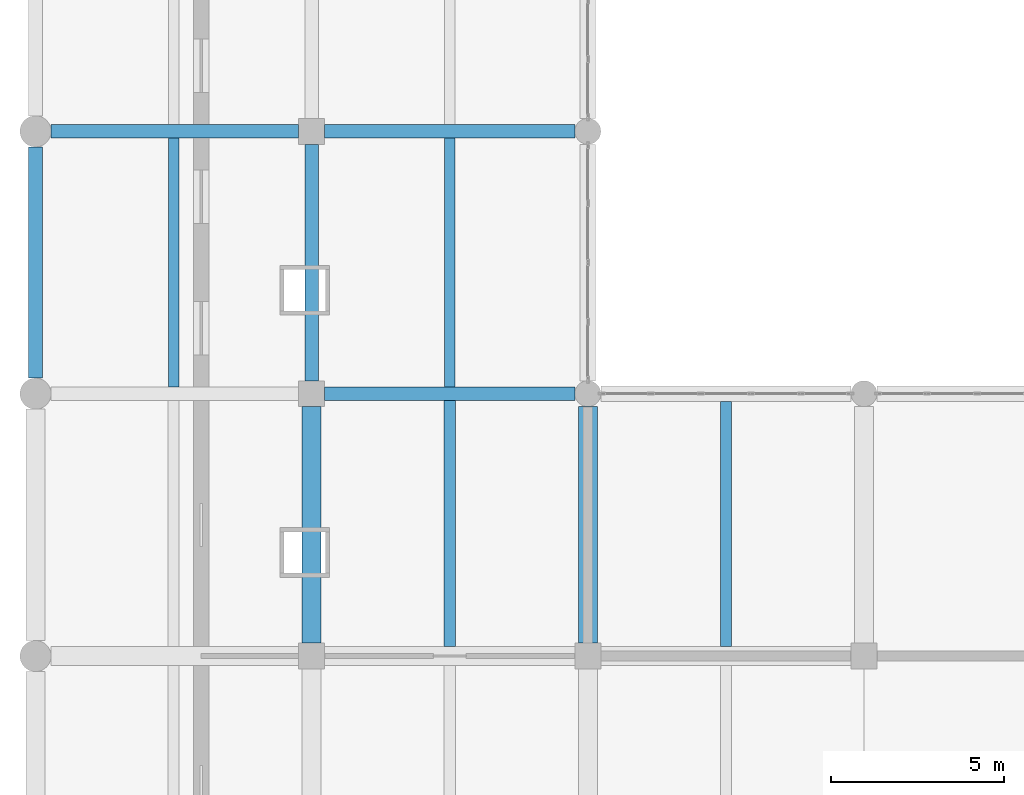
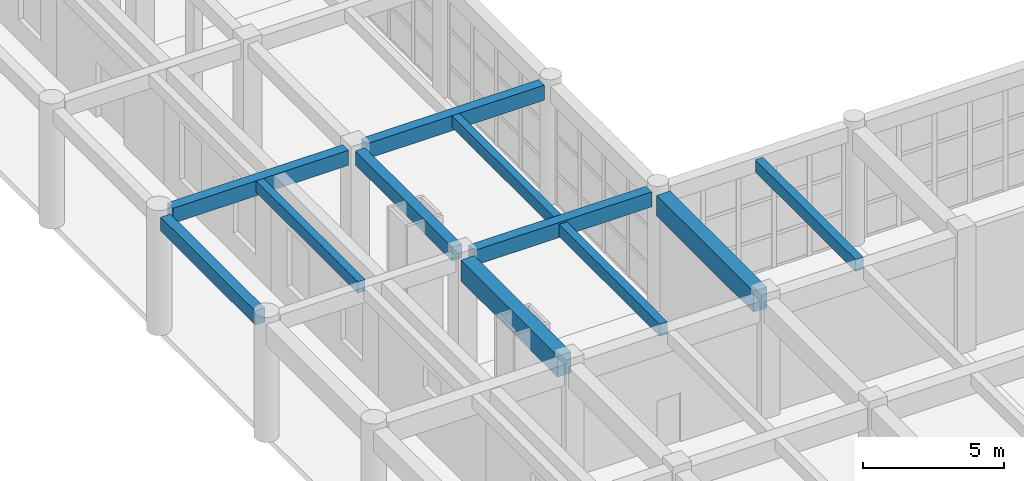
# One storey, part 14 of 95: 11 beams.
"""IFC4 building model written with IfcOpenShell, lengths in metres."""

from ifc_helpers import new_model, si_unit, direction, frame, origin, origin_2d, place, context, subcontext, project, spatial, rectangle, extrude, material, material_profile, profile_set, type_object, element, save


model = new_model("IFC4")

# Units and contexts
model_context = context("Model", 3, precision=1e-05, world=origin(), true_north=direction((0.0, 1.0)))
body_context = subcontext(model_context, "Body", "Model", "MODEL_VIEW")
ifc_project = project(units=[si_unit("LENGTHUNIT", "METRE"), si_unit("AREAUNIT", "SQUARE_METRE"), si_unit("VOLUMEUNIT", "CUBIC_METRE"), si_unit("PLANEANGLEUNIT", "RADIAN"), si_unit("MASSUNIT", "GRAM", prefix="KILO")], contexts=[model_context])

# Site, building, storey
site_placement = place(None, origin())
site = spatial("IfcSite", under=ifc_project, at=site_placement, CompositionType="ELEMENT")
building_placement = place(site_placement, origin())
building = spatial("IfcBuilding", under=site, at=building_placement, Name="Zantavel Square City Hall", CompositionType="ELEMENT")
storey_placement = place(building_placement, origin())
storey = spatial("IfcBuildingStorey", under=building, at=storey_placement, Name="L01", CompositionType="ELEMENT", Elevation=0.0)

# Beams
ifc_material_1 = material(Name="Concrete C40/50", Category="concrete")
ifc_material_profile_1 = material_profile(ifc_material_1, rectangle(XDim=0.320068359375, YDim=0.52001953125, at=origin_2d()), Name="RC 320x520")
ifc_profile_set_1 = profile_set([ifc_material_profile_1], Name="Concrete C40/50")
beam_type_1 = type_object("IfcBeamType", Name="Archive Floor Joist RC 320x520 C40/50", PredefinedType="JOIST", material=ifc_profile_set_1)
beam_1_placement = place(storey_placement, frame((12.0, 30.675048828125, 4.820068359375), z_axis=(0.0, 1.0, 0.0), x_axis=(-1.0, 0.0, 0.0)))
element("IfcBeam", 1, at=beam_1_placement, inside=storey, type_object=beam_type_1, Name="L01 Floor Joist JST-L01-0120-0304", PredefinedType="JOIST", context=body_context, shape_type="SweptSolid", body=[
    extrude(rectangle(XDim=0.320068359375, YDim=0.52001953125, at=origin_2d()), origin(), (0.0, 0.0, 1.0), 7.125),
])
beam_2_placement = place(storey_placement, frame((20.0, 30.675048828125, 4.820068359375), z_axis=(0.0, 1.0, 0.0), x_axis=(-1.0, 0.0, 0.0)))
element("IfcBeam", 2, at=beam_2_placement, inside=storey, type_object=beam_type_1, Name="L01 Floor Joist JST-L01-0200-0304", PredefinedType="JOIST", context=body_context, shape_type="SweptSolid", body=[
    extrude(rectangle(XDim=0.320068359375, YDim=0.52001953125, at=origin_2d()), origin(), (0.0, 0.0, 1.0), 7.099853515625),
])
ifc_material_profile_2 = material_profile(ifc_material_1, rectangle(XDim=0.550048828125, YDim=0.89990234375, at=origin_2d()), Name="RC 550x900")
ifc_profile_set_2 = profile_set([ifc_material_profile_2], Name="Concrete C40/50")
beam_type_2 = type_object("IfcBeamType", Name="Archive Heavy Girder RC 550x900 C40/50", PredefinedType="BEAM", material=ifc_profile_set_2)
for number, where, z_axis, x_axis, name in (
    (3, (8.0, 30.77490234375, 4.6298828125), (0.0, 1.0, 0.0), (-1.0, 0.0, 0.0), "L01 Beam BMY-L01-0080-0304"),
    (4, (16.0, 30.77490234375, 4.6298828125), (0.0, 1.0, 0.0), (-1.0, 0.0, 0.0), "L01 Beam BMY-L01-0160-0304"),
):
    element("IfcBeam", number, at=place(storey_placement, frame(where, z_axis=z_axis, x_axis=x_axis)), inside=storey, type_object=beam_type_2, Name=name, PredefinedType="BEAM", context=body_context, shape_type="SweptSolid", body=[
        extrude(rectangle(XDim=0.550048828125, YDim=0.89990234375, at=origin_2d()), origin(), (0.0, 0.0, 1.0), 6.85009765625),
    ])
ifc_material_2 = material(Name="Concrete C35/45", Category="concrete")
ifc_material_profile_3 = material_profile(ifc_material_2, rectangle(XDim=0.300048828125, YDim=0.5, at=origin_2d()), Name="RC 300x500")
ifc_profile_set_3 = profile_set([ifc_material_profile_3], Name="Concrete C35/45")
beam_type_3 = type_object("IfcBeamType", Name="Floor Joist RC 300x500 C35/45", PredefinedType="JOIST", material=ifc_profile_set_3)
for number, where, z_axis, x_axis, name in (
    (5, (4.0, 38.199951171875, 4.89990234375), (0.0, 1.0, 0.0), (-1.0, 0.0, 0.0), "L01 Floor Joist JST-L01-0040-0380"),
    (6, (12.0, 38.199951171875, 4.909912109375), (0.0, 1.0, 0.0), (-1.0, 0.0, 0.0), "L01 Floor Joist JST-L01-0120-0380"),
):
    element("IfcBeam", number, at=place(storey_placement, frame(where, z_axis=z_axis, x_axis=x_axis)), inside=storey, type_object=beam_type_3, Name=name, PredefinedType="JOIST", context=body_context, shape_type="SweptSolid", body=[
        extrude(rectangle(XDim=0.300048828125, YDim=0.5, at=origin_2d()), origin(), (0.0, 0.0, 1.0), 7.199951171875),
    ])
ifc_material_profile_4 = material_profile(ifc_material_2, rectangle(XDim=0.39990234375, YDim=0.64990234375, at=origin_2d()), Name="RC 400x650")
ifc_profile_set_4 = profile_set([ifc_material_profile_4], Name="Concrete C35/45")
beam_type_4 = type_object("IfcBeamType", Name="Frame Beam RC 400x650 C35/45", PredefinedType="BEAM", material=ifc_profile_set_4)
beam_3_placement = place(storey_placement, frame((0.449951171875, 45.60009765625, 4.824951171875), z_axis=(1.0, 0.0, 0.0), x_axis=(0.0, 1.0, 0.0)))
element("IfcBeam", 7, at=beam_3_placement, inside=storey, type_object=beam_type_4, Name="L01 Girder BMX-L01-0000-0456", PredefinedType="BEAM", context=body_context, shape_type="SweptSolid", body=[
    extrude(rectangle(XDim=0.39990234375, YDim=0.64990234375, at=origin_2d()), origin(), (0.0, 0.0, 1.0), 7.175048828125),
])
for number, where, z_axis, x_axis, name in (
    (8, (8.375, 38.0, 4.8349609375), (1.0, 0.0, 0.0), (0.0, 1.0, 0.0), "L01 Girder BMX-L01-0080-0380"),
    (9, (8.375, 45.60009765625, 4.8349609375), (1.0, 0.0, 0.0), (0.0, 1.0, 0.0), "L01 Girder BMX-L01-0080-0456"),
):
    element("IfcBeam", number, at=place(storey_placement, frame(where, z_axis=z_axis, x_axis=x_axis)), inside=storey, type_object=beam_type_4, Name=name, PredefinedType="BEAM", context=body_context, shape_type="SweptSolid", body=[
        extrude(rectangle(XDim=0.39990234375, YDim=0.64990234375, at=origin_2d()), origin(), (0.0, 0.0, 1.0), 7.25),
    ])
ifc_material_profile_5 = material_profile(ifc_material_2, rectangle(XDim=0.39990234375, YDim=0.60009765625, at=origin_2d()), Name="RC 400x600")
ifc_profile_set_5 = profile_set([ifc_material_profile_5], Name="Concrete C35/45")
beam_type_5 = type_object("IfcBeamType", Name="Perimeter Spandrel RC 400x600 C35/45", PredefinedType="SPANDREL", material=ifc_profile_set_5)
beam_4_placement = place(storey_placement, frame((0.0, 38.449951171875, 4.85009765625), z_axis=(0.0, 1.0, 0.0), x_axis=(-1.0, 0.0, 0.0)))
element("IfcBeam", 10, at=beam_4_placement, inside=storey, type_object=beam_type_5, Name="L01 Beam BMY-L01-0000-0380", PredefinedType="SPANDREL", context=body_context, shape_type="SweptSolid", body=[
    extrude(rectangle(XDim=0.39990234375, YDim=0.60009765625, at=origin_2d()), origin(), (0.0, 0.0, 1.0), 6.699951171875),
])
beam_5_placement = place(storey_placement, frame((8.0, 38.375, 4.860107421875), z_axis=(0.0, 1.0, 0.0), x_axis=(-1.0, 0.0, 0.0)))
element("IfcBeam", 11, at=beam_5_placement, inside=storey, type_object=beam_type_5, Name="L01 Beam BMY-L01-0080-0380", PredefinedType="SPANDREL", context=body_context, shape_type="SweptSolid", body=[
    extrude(rectangle(XDim=0.39990234375, YDim=0.60009765625, at=origin_2d()), origin(), (0.0, 0.0, 1.0), 6.85009765625),
])

save(model, "model.ifc")
